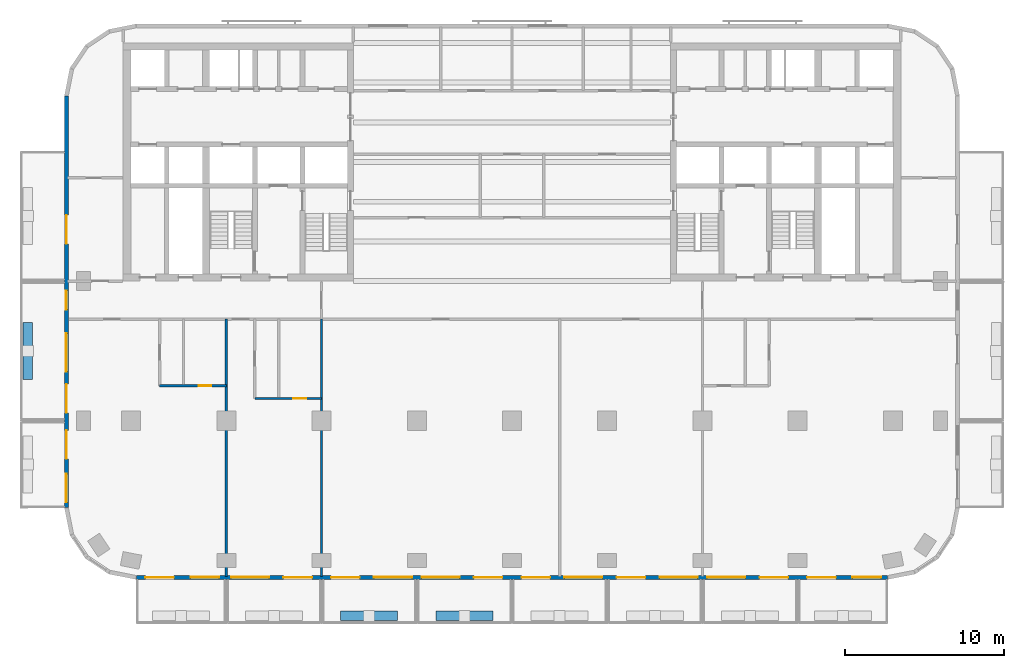
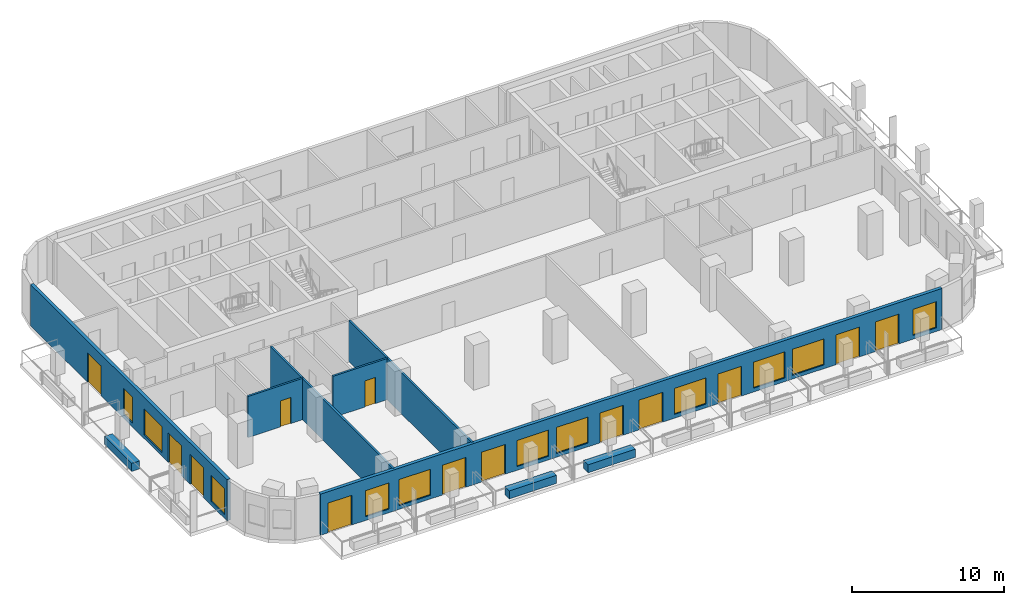
# One storey, part 2 of 11: 13 doors, 11 windows, 9 walls, 24 openings.
"""IFC4 building model written with IfcOpenShell, lengths in metres."""

import ifcopenshell
import ifcopenshell.guid

model = None  # the IFC model being written
_history = None  # IfcOwnerHistory: only IFC2X3 demands one
_inside = {}  # id of a spatial element -> (the spatial element, [elements in it])
_under = {}  # id of a project, library or spatial element -> (it, [spatial elements below it])
_declared = {}  # id of a project -> (the project, [libraries it declares])
_typed = {}  # id of a type object -> (the type object, [elements of that type])
_made_of = {}  # id of a material, layer set ... -> (it, [elements and type objects made of it])


def new_model(schema):
    """Start an empty IFC model of exactly this schema.

    Asked for "IFC4X3", IfcOpenShell would pick the latest addendum, in which some entities
    have other attributes; the version numbers below select the first issue.
    IFC2X3 requires an IfcOwnerHistory on every rooted entity: one is made here for all.
    """
    global model, _history
    if schema == "IFC4X3":
        model = ifcopenshell.file(schema_version=(4, 3, 0, 0))
    else:
        model = ifcopenshell.file(schema=schema)
    _inside.clear()
    _under.clear()
    _declared.clear()
    _typed.clear()
    _made_of.clear()
    _history = None
    if model.schema == "IFC2X3":
        org = make("IfcOrganization", Name="unknown")
        user = make(
            "IfcPersonAndOrganization",
            ThePerson=make("IfcPerson", FamilyName="unknown"),
            TheOrganization=org,
        )
        app = make(
            "IfcApplication",
            ApplicationDeveloper=org,
            Version="unknown",
            ApplicationFullName="unknown",
            ApplicationIdentifier="unknown",
        )
        _history = make(
            "IfcOwnerHistory",
            OwningUser=user,
            OwningApplication=app,
            ChangeAction="ADDED",
            CreationDate=0,
        )
    return model


def make(cls, **values):
    """One entity of the class cls with the attributes given. An attribute that is None is left unset."""
    return model.create_entity(
        cls, **{name: value for name, value in values.items() if value is not None}
    )


def rooted(cls, **values):
    """An entity with a GlobalId (a new one), such as an element, a storey or a relation."""
    return make(cls, GlobalId=ifcopenshell.guid.new(), OwnerHistory=_history, **values)


def si_unit(unit_type, name, prefix=None):
    """IfcSIUnit, for example si_unit("LENGTHUNIT", "METRE", prefix="MILLI")."""
    return make("IfcSIUnit", UnitType=unit_type, Prefix=prefix, Name=name)


def assignment(units):
    """IfcUnitAssignment: the units of a project."""
    return None if units is None else make("IfcUnitAssignment", Units=units)


def point(xyz):
    """IfcCartesianPoint."""
    return None if xyz is None else make("IfcCartesianPoint", Coordinates=xyz)


def direction(xyz):
    """IfcDirection."""
    return None if xyz is None else make("IfcDirection", DirectionRatios=xyz)


def frame(location, z_axis=None, x_axis=None):
    """IfcAxis2Placement3D, a coordinate frame: its origin and axes. An axis left out is left unset."""
    return make(
        "IfcAxis2Placement3D",
        Location=point(location),
        Axis=direction(z_axis),
        RefDirection=direction(x_axis),
    )


def frame_2d(location, x_axis=None):
    """IfcAxis2Placement2D, a coordinate frame in the plane: its origin and x axis."""
    return make(
        "IfcAxis2Placement2D", Location=point(location), RefDirection=direction(x_axis)
    )


def origin():
    """The frame at (0, 0, 0) with its axes left unset."""
    return frame((0.0, 0.0, 0.0))


def place(relative_to, where):
    """IfcLocalPlacement: puts the frame where relative to a parent placement (None: the world)."""
    return make(
        "IfcLocalPlacement", PlacementRelTo=relative_to, RelativePlacement=where
    )


def context(
    kind, dimensions, precision=None, world=None, true_north=None, identifier=None
):
    """IfcGeometricRepresentationContext, for example the 3D "Model" context."""
    return make(
        "IfcGeometricRepresentationContext",
        ContextIdentifier=identifier,
        ContextType=kind,
        CoordinateSpaceDimension=dimensions,
        Precision=precision,
        WorldCoordinateSystem=world,
        TrueNorth=true_north,
    )


def subcontext(parent, identifier, kind, view, scale=None):
    """IfcGeometricRepresentationSubContext, for example "Body" below "Model"."""
    return make(
        "IfcGeometricRepresentationSubContext",
        ContextIdentifier=identifier,
        ContextType=kind,
        ParentContext=parent,
        TargetScale=scale,
        TargetView=view,
    )


def project(units=None, contexts=None):
    """IfcProject with its units and contexts."""
    return rooted(
        "IfcProject",
        Name="project",
        RepresentationContexts=contexts,
        UnitsInContext=assignment(units),
    )


def spatial(cls, under=None, at=None, **own):
    """A site, building, storey or space (cls), placed at a placement, below another one or the project."""
    s = rooted(cls, ObjectPlacement=at, **own)
    if under is not None:
        _under.setdefault(under.id(), (under, []))[1].append(s)
    return s


def profile(cls, at=None, kind="AREA", **sizes):
    """A parametric profile (cls). Its sizes go by their IFC names, for example OverallWidth=200.0."""
    return make(cls, ProfileType=kind, Position=at, **sizes)


def rectangle(**sizes):
    """IfcRectangleProfileDef."""
    return profile("IfcRectangleProfileDef", **sizes)


def extrude(swept, where, along, depth):
    """IfcExtrudedAreaSolid: the profile swept, set in the frame where, extruded along a direction by depth."""
    return make(
        "IfcExtrudedAreaSolid",
        SweptArea=swept,
        Position=where,
        ExtrudedDirection=direction(along),
        Depth=depth,
    )


def shape(context_of_items, identifier, shape_type, items):
    """IfcShapeRepresentation: the items that make up one representation, for example the "Body"."""
    return make(
        "IfcShapeRepresentation",
        ContextOfItems=context_of_items,
        RepresentationIdentifier=identifier,
        RepresentationType=shape_type,
        Items=items,
    )


def material(Name=None, Category=None):
    """IfcMaterial."""
    return make("IfcMaterial", Name=Name, Category=Category)


def layer(
    of_material, thickness, ventilated=None, Name=None, Category=None, Priority=None
):
    """IfcMaterialLayer: one layer of a wall or slab, of a material (None: an air gap)."""
    return make(
        "IfcMaterialLayer",
        Material=of_material,
        LayerThickness=thickness,
        IsVentilated=ventilated,
        Name=Name,
        Category=Category,
        Priority=Priority,
    )


def layer_set(layers, Name=None):
    """IfcMaterialLayerSet."""
    return make("IfcMaterialLayerSet", MaterialLayers=layers, LayerSetName=Name)


def made_of(thing, what):
    """Note that an element or type object is made of a material, layer set ...; save() writes the relation."""
    if what is not None:
        _made_of.setdefault(what.id(), (what, []))[1].append(thing)
    return thing


def type_object(cls, material=None, **own):
    """A type object (cls), such as IfcWallType, which elements share."""
    return made_of(rooted(cls, **own), material)


def element(
    cls,
    number,
    at=None,
    inside=None,
    cuts=None,
    type_object=None,
    material=None,
    context=None,
    identifier="Body",
    shape_type=None,
    held_by="IfcProductDefinitionShape",
    body=None,
    shapes=None,
    **own,
):
    """One element of the class cls, such as IfcWall. Its Tag is "e" and its number.

    at: its placement. inside: the storey or other place that contains it. cuts: it is an
    opening in that element (IfcRelVoidsElement). A single representation is given by context,
    identifier, shape_type and body (its items); several are given by shapes. held_by: the class
    of the entity that holds the representations. save() writes the other relations.
    """
    e = rooted(cls, Tag="e%d" % number, ObjectPlacement=at, **own)
    if body is not None:
        shapes = [shape(context, identifier, shape_type, body)]
    if shapes is not None:
        e.Representation = make(held_by, Representations=shapes)
    if inside is not None:
        _inside.setdefault(inside.id(), (inside, []))[1].append(e)
    if cuts is not None:
        rooted(
            "IfcRelVoidsElement", RelatingBuildingElement=cuts, RelatedOpeningElement=e
        )
    if type_object is not None:
        _typed.setdefault(type_object.id(), (type_object, []))[1].append(e)
    return made_of(e, material)


def fill(opening, filler):
    """IfcRelFillsElement: the door or window that sits in an opening."""
    return rooted(
        "IfcRelFillsElement",
        RelatingOpeningElement=opening,
        RelatedBuildingElement=filler,
    )


def aggregate(whole, parts):
    """IfcRelAggregates: a whole, such as a stair, and the parts it consists of."""
    return rooted("IfcRelAggregates", RelatingObject=whole, RelatedObjects=parts)


def save(model, path):
    """Write the relations noted so far, then the file.

    IfcRelAggregates (storeys below a building ...), IfcRelContainedInSpatialStructure (elements
    in a storey), IfcRelDefinesByType, IfcRelAssociatesMaterial and IfcRelDeclares: one each for
    every whole, place, type object, material and project.
    """
    for whole, parts in _under.values():
        aggregate(whole, parts)
    for where, things in _inside.values():
        rooted(
            "IfcRelContainedInSpatialStructure",
            RelatedElements=things,
            RelatingStructure=where,
        )
    for kind, things in _typed.values():
        rooted("IfcRelDefinesByType", RelatedObjects=things, RelatingType=kind)
    for what, things in _made_of.values():
        rooted("IfcRelAssociatesMaterial", RelatedObjects=things, RelatingMaterial=what)
    for by, libraries in _declared.values():
        rooted("IfcRelDeclares", RelatingContext=by, RelatedDefinitions=libraries)
    model.write(path)


model = new_model("IFC4")

# Units and contexts
model_context = context("Model", 3, precision=1e-05, world=origin(), true_north=direction((0.0, 1.0)))
body_context = subcontext(model_context, "Body", "Model", "MODEL_VIEW")
ifc_project = project(units=[si_unit("LENGTHUNIT", "METRE"), si_unit("AREAUNIT", "SQUARE_METRE"), si_unit("VOLUMEUNIT", "CUBIC_METRE"), si_unit("PLANEANGLEUNIT", "RADIAN"), si_unit("MASSUNIT", "GRAM", prefix="KILO")], contexts=[model_context])

# Site, building, storey
site_placement = place(None, origin())
site = spatial("IfcSite", under=ifc_project, at=site_placement, CompositionType="ELEMENT")
building_placement = place(site_placement, origin())
building = spatial("IfcBuilding", under=site, at=building_placement, Name="Torana Hotel and Residences", CompositionType="ELEMENT")
storey_placement = place(building_placement, frame((0.0, 0.0, 166.800048828125)))
storey = spatial("IfcBuildingStorey", under=building, at=storey_placement, Name="L43", CompositionType="ELEMENT", Elevation=166.800048828125)

# Wall, openings, doors, windows
ifc_material_1 = material(Name="Black aluminium composite panel", Category="aluminium")
ifc_layer_1 = layer(ifc_material_1, 0.00390625, Name="Cladding", Category="cladding")
ifc_material_2 = material(Name="Ventilated air cavity")
ifc_layer_2 = layer(ifc_material_2, 0.0400390625, Name="Ventilated cavity", Category="cavity")
ifc_material_3 = material(Name="Mineral wool insulation")
ifc_layer_3 = layer(ifc_material_3, 0.090087890625, Name="Insulation", Category="insulation")
ifc_material_4 = material(Name="Steel S280GD", Category="steel")
ifc_layer_4 = layer(ifc_material_4, 0.092041015625, Name="Steel stud frame", Category="structure")
ifc_material_5 = material(Name="Fire rated plasterboard")
ifc_layer_5 = layer(ifc_material_5, 0.011962890625, Name="Inner board", Category="finish")
ifc_layer_6 = layer(ifc_material_5, 0.011962890625, Name="Second board", Category="finish")
ifc_layer_set_1 = layer_set([ifc_layer_1, ifc_layer_2, ifc_layer_3, ifc_layer_4, ifc_layer_5, ifc_layer_6], Name="EW1 EXTERNAL WALL BLACK METAL CLAD 250")
wall_type_1 = type_object("IfcWallType", Name="EW1 EXTERNAL WALL BLACK METAL CLAD 250", PredefinedType="SOLIDWALL", material=ifc_layer_set_1)
wall_1_placement = place(storey_placement, frame((-28.074951171875, -3.32470703125, 0.0), z_axis=(0.0, 0.0, 1.0), x_axis=(0.0, -1.0, 0.0)))
wall_1 = element("IfcWall", 1, at=wall_1_placement, inside=storey, type_object=wall_type_1, Name="External wall L43 e0.9", PredefinedType="SOLIDWALL", context=body_context, shape_type="SweptSolid", body=[
    extrude(rectangle(XDim=25.95068359375, YDim=0.25, at=frame_2d((12.975341796875, 0.0))), origin(), (0.0, 0.0, 1.0), 3.320068359375),
])
opening_1_placement = place(wall_1_placement, frame((7.525390625, 0.0, 0.0)))
opening_1 = element("IfcOpeningElement", 2, at=opening_1_placement, cuts=wall_1, Name="Opening L43-E12", PredefinedType="OPENING", context=body_context, shape_type="SweptSolid", body=[
    extrude(rectangle(XDim=1.800048828125, YDim=2.39990234375, at=frame_2d((0.89990234375, 1.199951171875))), frame((0.0, 0.135009765625, 0.0), z_axis=(0.0, -1.0, 0.0), x_axis=(1.0, 0.0, 0.0)), (0.0, 0.0, 1.0), 0.27001953125),
])
opening_2_placement = place(wall_1_placement, frame((12.275390625, 0.0, 0.300048828125)))
opening_2 = element("IfcOpeningElement", 3, at=opening_2_placement, cuts=wall_1, Name="Opening W7", PredefinedType="OPENING", context=body_context, shape_type="SweptSolid", body=[
    extrude(rectangle(XDim=1.199951171875, YDim=2.10009765625, at=frame_2d((0.60009765625, 1.050048828125))), frame((0.0, 0.135009765625, 0.0), z_axis=(0.0, -1.0, 0.0), x_axis=(1.0, 0.0, 0.0)), (0.0, 0.0, 1.0), 0.27001953125),
])
opening_3_placement = place(wall_1_placement, frame((14.975341796875, 0.0, 0.300048828125)))
opening_3 = element("IfcOpeningElement", 4, at=opening_3_placement, cuts=wall_1, Name="Opening W1", PredefinedType="OPENING", context=body_context, shape_type="SweptSolid", body=[
    extrude(rectangle(XDim=2.39990234375, YDim=2.10009765625, at=frame_2d((1.199951171875, 1.050048828125))), frame((0.0, 0.135009765625, 0.0), z_axis=(0.0, -1.0, 0.0), x_axis=(1.0, 0.0, 0.0)), (0.0, 0.0, 1.0), 0.27001953125),
])
opening_4_placement = place(wall_1_placement, frame((18.17529296875, 0.0, 0.0)))
opening_4 = element("IfcOpeningElement", 5, at=opening_4_placement, cuts=wall_1, Name="Opening L43-E13", PredefinedType="OPENING", context=body_context, shape_type="SweptSolid", body=[
    extrude(rectangle(XDim=1.800048828125, YDim=2.39990234375, at=frame_2d((0.89990234375, 1.199951171875))), frame((0.0, 0.135009765625, 0.0), z_axis=(0.0, -1.0, 0.0), x_axis=(1.0, 0.0, 0.0)), (0.0, 0.0, 1.0), 0.27001953125),
])
opening_5_placement = place(wall_1_placement, frame((21.075439453125, 0.0, 0.0)))
opening_5 = element("IfcOpeningElement", 6, at=opening_5_placement, cuts=wall_1, Name="Opening L43-E14", PredefinedType="OPENING", context=body_context, shape_type="SweptSolid", body=[
    extrude(rectangle(XDim=1.800048828125, YDim=2.39990234375, at=frame_2d((0.89990234375, 1.199951171875))), frame((0.0, 0.135009765625, 0.0), z_axis=(0.0, -1.0, 0.0), x_axis=(1.0, 0.0, 0.0)), (0.0, 0.0, 1.0), 0.27001953125),
])
opening_6_placement = place(wall_1_placement, frame((23.825439453125, 0.0, 0.300048828125)))
opening_6 = element("IfcOpeningElement", 7, at=opening_6_placement, cuts=wall_1, Name="Opening W2", PredefinedType="OPENING", context=body_context, shape_type="SweptSolid", body=[
    extrude(rectangle(XDim=1.800048828125, YDim=2.10009765625, at=frame_2d((0.89990234375, 1.050048828125))), frame((0.0, 0.135009765625, 0.0), z_axis=(0.0, -1.0, 0.0), x_axis=(1.0, 0.0, 0.0)), (0.0, 0.0, 1.0), 0.27001953125),
])
ifc_material_6 = material(Name="Dark glass in black aluminium frame", Category="aluminium")
door_type_1 = type_object("IfcDoorType", Name="DB1 BALCONY DOOR 1800x2400", OperationType="DOUBLE_DOOR_SINGLE_SWING", PredefinedType="DOOR", material=ifc_material_6)
door_1_placement = place(opening_1_placement, origin())
door_1 = element("IfcDoor", 8, at=door_1_placement, inside=storey, type_object=door_type_1, Name="Balcony door L43", OperationType="DOUBLE_DOOR_SINGLE_SWING", OverallHeight=2.39990234375, OverallWidth=1.800048828125, PredefinedType="DOOR", context=body_context, shape_type="SweptSolid", body=[
    extrude(rectangle(XDim=1.800048828125, YDim=2.39990234375, at=frame_2d((0.89990234375, 1.199951171875))), frame((0.0, 0.02490234375, 0.0), z_axis=(0.0, -1.0, 0.0), x_axis=(1.0, 0.0, 0.0)), (0.0, 0.0, 1.0), 0.050048828125),
])
fill(opening_1, door_1)
door_2_placement = place(opening_4_placement, frame((0.89990234375, 0.0, 0.0), z_axis=(0.0, 0.0, 1.0), x_axis=(-1.0, 0.0, 0.0)))
door_2 = element("IfcDoor", 9, at=door_2_placement, inside=storey, type_object=door_type_1, Name="Balcony door L43", OperationType="DOUBLE_DOOR_SINGLE_SWING", OverallHeight=2.39990234375, OverallWidth=1.800048828125, PredefinedType="DOOR", context=body_context, shape_type="SweptSolid", body=[
    extrude(rectangle(XDim=1.800048828125, YDim=2.39990234375, at=frame_2d((0.0, 1.199951171875))), frame((0.0, -0.02490234375, 0.0), z_axis=(0.0, 1.0, 0.0), x_axis=(-1.0, 0.0, 0.0)), (0.0, 0.0, 1.0), 0.050048828125),
])
fill(opening_4, door_2)
door_3_placement = place(opening_5_placement, origin())
door_3 = element("IfcDoor", 10, at=door_3_placement, inside=storey, type_object=door_type_1, Name="Balcony door L43", OperationType="DOUBLE_DOOR_SINGLE_SWING", OverallHeight=2.39990234375, OverallWidth=1.800048828125, PredefinedType="DOOR", context=body_context, shape_type="SweptSolid", body=[
    extrude(rectangle(XDim=1.800048828125, YDim=2.39990234375, at=frame_2d((0.89990234375, 1.199951171875))), frame((0.0, 0.02490234375, 0.0), z_axis=(0.0, -1.0, 0.0), x_axis=(1.0, 0.0, 0.0)), (0.0, 0.0, 1.0), 0.050048828125),
])
fill(opening_5, door_3)
ifc_material_7 = material(Name="Dark glass in black aluminium frame", Category="aluminium")
window_type_1 = type_object("IfcWindowType", Name="W1 HOTEL ROOM WINDOW 2400x2100", PartitioningType="SINGLE_PANEL", PredefinedType="WINDOW", material=ifc_material_7)
window_1_placement = place(opening_3_placement, origin())
window_1 = element("IfcWindow", 11, at=window_1_placement, inside=storey, type_object=window_type_1, Name="Window L43", OverallHeight=2.10009765625, OverallWidth=2.39990234375, PartitioningType="SINGLE_PANEL", PredefinedType="WINDOW", context=body_context, shape_type="SweptSolid", body=[
    extrude(rectangle(XDim=2.39990234375, YDim=2.10009765625, at=frame_2d((1.199951171875, 1.050048828125))), frame((0.0, 0.030029296875, 0.0), z_axis=(0.0, -1.0, 0.0), x_axis=(1.0, 0.0, 0.0)), (0.0, 0.0, 1.0), 0.06005859375),
])
fill(opening_3, window_1)
ifc_material_8 = material(Name="Dark glass in black aluminium frame", Category="aluminium")
window_type_2 = type_object("IfcWindowType", Name="W2 HOTEL ROOM WINDOW NARROW 1800x2100", PartitioningType="SINGLE_PANEL", PredefinedType="WINDOW", material=ifc_material_8)
window_2_placement = place(opening_6_placement, origin())
window_2 = element("IfcWindow", 12, at=window_2_placement, inside=storey, type_object=window_type_2, Name="Window L43", OverallHeight=2.10009765625, OverallWidth=1.800048828125, PartitioningType="SINGLE_PANEL", PredefinedType="WINDOW", context=body_context, shape_type="SweptSolid", body=[
    extrude(rectangle(XDim=1.800048828125, YDim=2.10009765625, at=frame_2d((0.89990234375, 1.050048828125))), frame((0.0, 0.030029296875, 0.0), z_axis=(0.0, -1.0, 0.0), x_axis=(1.0, 0.0, 0.0)), (0.0, 0.0, 1.0), 0.06005859375),
])
fill(opening_6, window_2)
ifc_material_9 = material(Name="Dark glass in black aluminium frame", Category="aluminium")
window_type_3 = type_object("IfcWindowType", Name="W7 HOTEL CORRIDOR WINDOW 1200x2100", PartitioningType="SINGLE_PANEL", PredefinedType="WINDOW", material=ifc_material_9)
window_3_placement = place(opening_2_placement, origin())
window_3 = element("IfcWindow", 13, at=window_3_placement, inside=storey, type_object=window_type_3, Name="Window L43", OverallHeight=2.10009765625, OverallWidth=1.199951171875, PartitioningType="SINGLE_PANEL", PredefinedType="WINDOW", context=body_context, shape_type="SweptSolid", body=[
    extrude(rectangle(XDim=1.199951171875, YDim=2.10009765625, at=frame_2d((0.60009765625, 1.050048828125))), frame((0.0, 0.030029296875, 0.0), z_axis=(0.0, -1.0, 0.0), x_axis=(1.0, 0.0, 0.0)), (0.0, 0.0, 1.0), 0.06005859375),
])
fill(opening_2, window_3)

wall_2_placement = place(storey_placement, frame((-23.67529296875, -33.675048828125, 0.0), z_axis=(0.0, 0.0, 1.0), x_axis=(1.0, 0.0, 0.0)))
wall_2 = element("IfcWall", 14, at=wall_2_placement, inside=storey, type_object=wall_type_1, Name="External wall L43 e0.14", PredefinedType="SOLIDWALL", context=body_context, shape_type="SweptSolid", body=[
    extrude(rectangle(XDim=47.3505859375, YDim=0.25, at=frame_2d((23.67529296875, 0.0))), origin(), (0.0, 0.0, 1.0), 3.320068359375),
])
opening_7_placement = place(wall_2_placement, frame((0.575439453125, 0.0, 0.0)))
opening_7 = element("IfcOpeningElement", 15, at=opening_7_placement, cuts=wall_2, Name="Opening L43-E01", PredefinedType="OPENING", context=body_context, shape_type="SweptSolid", body=[
    extrude(rectangle(XDim=1.800048828125, YDim=2.39990234375, at=frame_2d((0.89990234375, 1.199951171875))), frame((0.0, 0.135009765625, 0.0), z_axis=(0.0, -1.0, 0.0), x_axis=(1.0, 0.0, 0.0)), (0.0, 0.0, 1.0), 0.27001953125),
])
opening_8_placement = place(wall_2_placement, frame((3.42529296875, 0.0, 0.300048828125)))
opening_8 = element("IfcOpeningElement", 16, at=opening_8_placement, cuts=wall_2, Name="Opening W2", PredefinedType="OPENING", context=body_context, shape_type="SweptSolid", body=[
    extrude(rectangle(XDim=1.800048828125, YDim=2.10009765625, at=frame_2d((0.89990234375, 1.050048828125))), frame((0.0, 0.135009765625, 0.0), z_axis=(0.0, -1.0, 0.0), x_axis=(1.0, 0.0, 0.0)), (0.0, 0.0, 1.0), 0.27001953125),
])
opening_9_placement = place(wall_2_placement, frame((5.975341796875, 0.0, 0.300048828125)))
opening_9 = element("IfcOpeningElement", 17, at=opening_9_placement, cuts=wall_2, Name="Opening W1", PredefinedType="OPENING", context=body_context, shape_type="SweptSolid", body=[
    extrude(rectangle(XDim=2.39990234375, YDim=2.10009765625, at=frame_2d((1.199951171875, 1.050048828125))), frame((0.0, 0.135009765625, 0.0), z_axis=(0.0, -1.0, 0.0), x_axis=(1.0, 0.0, 0.0)), (0.0, 0.0, 1.0), 0.27001953125),
])
opening_10_placement = place(wall_2_placement, frame((9.275390625, 0.0, 0.0)))
opening_10 = element("IfcOpeningElement", 18, at=opening_10_placement, cuts=wall_2, Name="Opening L43-E02", PredefinedType="OPENING", context=body_context, shape_type="SweptSolid", body=[
    extrude(rectangle(XDim=1.800048828125, YDim=2.39990234375, at=frame_2d((0.89990234375, 1.199951171875))), frame((0.0, 0.135009765625, 0.0), z_axis=(0.0, -1.0, 0.0), x_axis=(1.0, 0.0, 0.0)), (0.0, 0.0, 1.0), 0.27001953125),
])
opening_11_placement = place(wall_2_placement, frame((12.275390625, 0.0, 0.0)))
opening_11 = element("IfcOpeningElement", 19, at=opening_11_placement, cuts=wall_2, Name="Opening L43-E03", PredefinedType="OPENING", context=body_context, shape_type="SweptSolid", body=[
    extrude(rectangle(XDim=1.800048828125, YDim=2.39990234375, at=frame_2d((0.89990234375, 1.199951171875))), frame((0.0, 0.135009765625, 0.0), z_axis=(0.0, -1.0, 0.0), x_axis=(1.0, 0.0, 0.0)), (0.0, 0.0, 1.0), 0.27001953125),
])
opening_12_placement = place(wall_2_placement, frame((14.975341796875, 0.0, 0.300048828125)))
opening_12 = element("IfcOpeningElement", 20, at=opening_12_placement, cuts=wall_2, Name="Opening W1", PredefinedType="OPENING", context=body_context, shape_type="SweptSolid", body=[
    extrude(rectangle(XDim=2.39990234375, YDim=2.10009765625, at=frame_2d((1.199951171875, 1.050048828125))), frame((0.0, 0.135009765625, 0.0), z_axis=(0.0, -1.0, 0.0), x_axis=(1.0, 0.0, 0.0)), (0.0, 0.0, 1.0), 0.27001953125),
])
opening_13_placement = place(wall_2_placement, frame((17.975341796875, 0.0, 0.300048828125)))
opening_13 = element("IfcOpeningElement", 21, at=opening_13_placement, cuts=wall_2, Name="Opening W1", PredefinedType="OPENING", context=body_context, shape_type="SweptSolid", body=[
    extrude(rectangle(XDim=2.39990234375, YDim=2.10009765625, at=frame_2d((1.199951171875, 1.050048828125))), frame((0.0, 0.135009765625, 0.0), z_axis=(0.0, -1.0, 0.0), x_axis=(1.0, 0.0, 0.0)), (0.0, 0.0, 1.0), 0.27001953125),
])
opening_14_placement = place(wall_2_placement, frame((21.275390625, 0.0, 0.0)))
opening_14 = element("IfcOpeningElement", 22, at=opening_14_placement, cuts=wall_2, Name="Opening L43-E04", PredefinedType="OPENING", context=body_context, shape_type="SweptSolid", body=[
    extrude(rectangle(XDim=1.800048828125, YDim=2.39990234375, at=frame_2d((0.89990234375, 1.199951171875))), frame((0.0, 0.135009765625, 0.0), z_axis=(0.0, -1.0, 0.0), x_axis=(1.0, 0.0, 0.0)), (0.0, 0.0, 1.0), 0.27001953125),
])
opening_15_placement = place(wall_2_placement, frame((24.275390625, 0.0, 0.0)))
opening_15 = element("IfcOpeningElement", 23, at=opening_15_placement, cuts=wall_2, Name="Opening L43-E05", PredefinedType="OPENING", context=body_context, shape_type="SweptSolid", body=[
    extrude(rectangle(XDim=1.800048828125, YDim=2.39990234375, at=frame_2d((0.89990234375, 1.199951171875))), frame((0.0, 0.135009765625, 0.0), z_axis=(0.0, -1.0, 0.0), x_axis=(1.0, 0.0, 0.0)), (0.0, 0.0, 1.0), 0.27001953125),
])
opening_16_placement = place(wall_2_placement, frame((26.975341796875, 0.0, 0.300048828125)))
opening_16 = element("IfcOpeningElement", 24, at=opening_16_placement, cuts=wall_2, Name="Opening W1", PredefinedType="OPENING", context=body_context, shape_type="SweptSolid", body=[
    extrude(rectangle(XDim=2.39990234375, YDim=2.10009765625, at=frame_2d((1.199951171875, 1.050048828125))), frame((0.0, 0.135009765625, 0.0), z_axis=(0.0, -1.0, 0.0), x_axis=(1.0, 0.0, 0.0)), (0.0, 0.0, 1.0), 0.27001953125),
])
opening_17_placement = place(wall_2_placement, frame((30.275390625, 0.0, 0.0)))
opening_17 = element("IfcOpeningElement", 25, at=opening_17_placement, cuts=wall_2, Name="Opening L43-E06", PredefinedType="OPENING", context=body_context, shape_type="SweptSolid", body=[
    extrude(rectangle(XDim=1.800048828125, YDim=2.39990234375, at=frame_2d((0.89990234375, 1.199951171875))), frame((0.0, 0.135009765625, 0.0), z_axis=(0.0, -1.0, 0.0), x_axis=(1.0, 0.0, 0.0)), (0.0, 0.0, 1.0), 0.27001953125),
])
opening_18_placement = place(wall_2_placement, frame((32.975341796875, 0.0, 0.300048828125)))
opening_18 = element("IfcOpeningElement", 26, at=opening_18_placement, cuts=wall_2, Name="Opening W1", PredefinedType="OPENING", context=body_context, shape_type="SweptSolid", body=[
    extrude(rectangle(XDim=2.39990234375, YDim=2.10009765625, at=frame_2d((1.199951171875, 1.050048828125))), frame((0.0, 0.135009765625, 0.0), z_axis=(0.0, -1.0, 0.0), x_axis=(1.0, 0.0, 0.0)), (0.0, 0.0, 1.0), 0.27001953125),
])
opening_19_placement = place(wall_2_placement, frame((35.975341796875, 0.0, 0.300048828125)))
opening_19 = element("IfcOpeningElement", 27, at=opening_19_placement, cuts=wall_2, Name="Opening W1", PredefinedType="OPENING", context=body_context, shape_type="SweptSolid", body=[
    extrude(rectangle(XDim=2.39990234375, YDim=2.10009765625, at=frame_2d((1.199951171875, 1.050048828125))), frame((0.0, 0.135009765625, 0.0), z_axis=(0.0, -1.0, 0.0), x_axis=(1.0, 0.0, 0.0)), (0.0, 0.0, 1.0), 0.27001953125),
])
opening_20_placement = place(wall_2_placement, frame((39.275390625, 0.0, 0.0)))
opening_20 = element("IfcOpeningElement", 28, at=opening_20_placement, cuts=wall_2, Name="Opening L43-E07", PredefinedType="OPENING", context=body_context, shape_type="SweptSolid", body=[
    extrude(rectangle(XDim=1.800048828125, YDim=2.39990234375, at=frame_2d((0.89990234375, 1.199951171875))), frame((0.0, 0.135009765625, 0.0), z_axis=(0.0, -1.0, 0.0), x_axis=(1.0, 0.0, 0.0)), (0.0, 0.0, 1.0), 0.27001953125),
])
opening_21_placement = place(wall_2_placement, frame((42.275390625, 0.0, 0.0)))
opening_21 = element("IfcOpeningElement", 29, at=opening_21_placement, cuts=wall_2, Name="Opening L43-E08", PredefinedType="OPENING", context=body_context, shape_type="SweptSolid", body=[
    extrude(rectangle(XDim=1.800048828125, YDim=2.39990234375, at=frame_2d((0.89990234375, 1.199951171875))), frame((0.0, 0.135009765625, 0.0), z_axis=(0.0, -1.0, 0.0), x_axis=(1.0, 0.0, 0.0)), (0.0, 0.0, 1.0), 0.27001953125),
])
opening_22_placement = place(wall_2_placement, frame((45.12548828125, 0.0, 0.300048828125)))
opening_22 = element("IfcOpeningElement", 30, at=opening_22_placement, cuts=wall_2, Name="Opening W2", PredefinedType="OPENING", context=body_context, shape_type="SweptSolid", body=[
    extrude(rectangle(XDim=1.800048828125, YDim=2.10009765625, at=frame_2d((0.89990234375, 1.050048828125))), frame((0.0, 0.135009765625, 0.0), z_axis=(0.0, -1.0, 0.0), x_axis=(1.0, 0.0, 0.0)), (0.0, 0.0, 1.0), 0.27001953125),
])
door_4_placement = place(opening_7_placement, origin())
door_4 = element("IfcDoor", 31, at=door_4_placement, inside=storey, type_object=door_type_1, Name="Balcony door L43", OperationType="DOUBLE_DOOR_SINGLE_SWING", OverallHeight=2.39990234375, OverallWidth=1.800048828125, PredefinedType="DOOR", context=body_context, shape_type="SweptSolid", body=[
    extrude(rectangle(XDim=1.800048828125, YDim=2.39990234375, at=frame_2d((0.89990234375, 1.199951171875))), frame((0.0, 0.02490234375, 0.0), z_axis=(0.0, -1.0, 0.0), x_axis=(1.0, 0.0, 0.0)), (0.0, 0.0, 1.0), 0.050048828125),
])
fill(opening_7, door_4)
door_5_placement = place(opening_10_placement, origin())
door_5 = element("IfcDoor", 32, at=door_5_placement, inside=storey, type_object=door_type_1, Name="Balcony door L43", OperationType="DOUBLE_DOOR_SINGLE_SWING", OverallHeight=2.39990234375, OverallWidth=1.800048828125, PredefinedType="DOOR", context=body_context, shape_type="SweptSolid", body=[
    extrude(rectangle(XDim=1.800048828125, YDim=2.39990234375, at=frame_2d((0.89990234375, 1.199951171875))), frame((0.0, 0.02490234375, 0.0), z_axis=(0.0, -1.0, 0.0), x_axis=(1.0, 0.0, 0.0)), (0.0, 0.0, 1.0), 0.050048828125),
])
fill(opening_10, door_5)
door_6_placement = place(opening_11_placement, origin())
door_6 = element("IfcDoor", 33, at=door_6_placement, inside=storey, type_object=door_type_1, Name="Balcony door L43", OperationType="DOUBLE_DOOR_SINGLE_SWING", OverallHeight=2.39990234375, OverallWidth=1.800048828125, PredefinedType="DOOR", context=body_context, shape_type="SweptSolid", body=[
    extrude(rectangle(XDim=1.800048828125, YDim=2.39990234375, at=frame_2d((0.89990234375, 1.199951171875))), frame((0.0, 0.02490234375, 0.0), z_axis=(0.0, -1.0, 0.0), x_axis=(1.0, 0.0, 0.0)), (0.0, 0.0, 1.0), 0.050048828125),
])
fill(opening_11, door_6)
door_7_placement = place(opening_14_placement, origin())
door_7 = element("IfcDoor", 34, at=door_7_placement, inside=storey, type_object=door_type_1, Name="Balcony door L43", OperationType="DOUBLE_DOOR_SINGLE_SWING", OverallHeight=2.39990234375, OverallWidth=1.800048828125, PredefinedType="DOOR", context=body_context, shape_type="SweptSolid", body=[
    extrude(rectangle(XDim=1.800048828125, YDim=2.39990234375, at=frame_2d((0.89990234375, 1.199951171875))), frame((0.0, 0.02490234375, 0.0), z_axis=(0.0, -1.0, 0.0), x_axis=(1.0, 0.0, 0.0)), (0.0, 0.0, 1.0), 0.050048828125),
])
fill(opening_14, door_7)
door_8_placement = place(opening_15_placement, origin())
door_8 = element("IfcDoor", 35, at=door_8_placement, inside=storey, type_object=door_type_1, Name="Balcony door L43", OperationType="DOUBLE_DOOR_SINGLE_SWING", OverallHeight=2.39990234375, OverallWidth=1.800048828125, PredefinedType="DOOR", context=body_context, shape_type="SweptSolid", body=[
    extrude(rectangle(XDim=1.800048828125, YDim=2.39990234375, at=frame_2d((0.89990234375, 1.199951171875))), frame((0.0, 0.02490234375, 0.0), z_axis=(0.0, -1.0, 0.0), x_axis=(1.0, 0.0, 0.0)), (0.0, 0.0, 1.0), 0.050048828125),
])
fill(opening_15, door_8)
door_9_placement = place(opening_17_placement, origin())
door_9 = element("IfcDoor", 36, at=door_9_placement, inside=storey, type_object=door_type_1, Name="Balcony door L43", OperationType="DOUBLE_DOOR_SINGLE_SWING", OverallHeight=2.39990234375, OverallWidth=1.800048828125, PredefinedType="DOOR", context=body_context, shape_type="SweptSolid", body=[
    extrude(rectangle(XDim=1.800048828125, YDim=2.39990234375, at=frame_2d((0.89990234375, 1.199951171875))), frame((0.0, 0.02490234375, 0.0), z_axis=(0.0, -1.0, 0.0), x_axis=(1.0, 0.0, 0.0)), (0.0, 0.0, 1.0), 0.050048828125),
])
fill(opening_17, door_9)
door_10_placement = place(opening_20_placement, origin())
door_10 = element("IfcDoor", 37, at=door_10_placement, inside=storey, type_object=door_type_1, Name="Balcony door L43", OperationType="DOUBLE_DOOR_SINGLE_SWING", OverallHeight=2.39990234375, OverallWidth=1.800048828125, PredefinedType="DOOR", context=body_context, shape_type="SweptSolid", body=[
    extrude(rectangle(XDim=1.800048828125, YDim=2.39990234375, at=frame_2d((0.89990234375, 1.199951171875))), frame((0.0, 0.02490234375, 0.0), z_axis=(0.0, -1.0, 0.0), x_axis=(1.0, 0.0, 0.0)), (0.0, 0.0, 1.0), 0.050048828125),
])
fill(opening_20, door_10)
door_11_placement = place(opening_21_placement, origin())
door_11 = element("IfcDoor", 38, at=door_11_placement, inside=storey, type_object=door_type_1, Name="Balcony door L43", OperationType="DOUBLE_DOOR_SINGLE_SWING", OverallHeight=2.39990234375, OverallWidth=1.800048828125, PredefinedType="DOOR", context=body_context, shape_type="SweptSolid", body=[
    extrude(rectangle(XDim=1.800048828125, YDim=2.39990234375, at=frame_2d((0.89990234375, 1.199951171875))), frame((0.0, 0.02490234375, 0.0), z_axis=(0.0, -1.0, 0.0), x_axis=(1.0, 0.0, 0.0)), (0.0, 0.0, 1.0), 0.050048828125),
])
fill(opening_21, door_11)
window_4_placement = place(opening_9_placement, origin())
window_4 = element("IfcWindow", 39, at=window_4_placement, inside=storey, type_object=window_type_1, Name="Window L43", OverallHeight=2.10009765625, OverallWidth=2.39990234375, PartitioningType="SINGLE_PANEL", PredefinedType="WINDOW", context=body_context, shape_type="SweptSolid", body=[
    extrude(rectangle(XDim=2.39990234375, YDim=2.10009765625, at=frame_2d((1.199951171875, 1.050048828125))), frame((0.0, 0.030029296875, 0.0), z_axis=(0.0, -1.0, 0.0), x_axis=(1.0, 0.0, 0.0)), (0.0, 0.0, 1.0), 0.06005859375),
])
fill(opening_9, window_4)
window_5_placement = place(opening_12_placement, origin())
window_5 = element("IfcWindow", 40, at=window_5_placement, inside=storey, type_object=window_type_1, Name="Window L43", OverallHeight=2.10009765625, OverallWidth=2.39990234375, PartitioningType="SINGLE_PANEL", PredefinedType="WINDOW", context=body_context, shape_type="SweptSolid", body=[
    extrude(rectangle(XDim=2.39990234375, YDim=2.10009765625, at=frame_2d((1.199951171875, 1.050048828125))), frame((0.0, 0.030029296875, 0.0), z_axis=(0.0, -1.0, 0.0), x_axis=(1.0, 0.0, 0.0)), (0.0, 0.0, 1.0), 0.06005859375),
])
fill(opening_12, window_5)
window_6_placement = place(opening_13_placement, origin())
window_6 = element("IfcWindow", 41, at=window_6_placement, inside=storey, type_object=window_type_1, Name="Window L43", OverallHeight=2.10009765625, OverallWidth=2.39990234375, PartitioningType="SINGLE_PANEL", PredefinedType="WINDOW", context=body_context, shape_type="SweptSolid", body=[
    extrude(rectangle(XDim=2.39990234375, YDim=2.10009765625, at=frame_2d((1.199951171875, 1.050048828125))), frame((0.0, 0.030029296875, 0.0), z_axis=(0.0, -1.0, 0.0), x_axis=(1.0, 0.0, 0.0)), (0.0, 0.0, 1.0), 0.06005859375),
])
fill(opening_13, window_6)
window_7_placement = place(opening_16_placement, origin())
window_7 = element("IfcWindow", 42, at=window_7_placement, inside=storey, type_object=window_type_1, Name="Window L43", OverallHeight=2.10009765625, OverallWidth=2.39990234375, PartitioningType="SINGLE_PANEL", PredefinedType="WINDOW", context=body_context, shape_type="SweptSolid", body=[
    extrude(rectangle(XDim=2.39990234375, YDim=2.10009765625, at=frame_2d((1.199951171875, 1.050048828125))), frame((0.0, 0.030029296875, 0.0), z_axis=(0.0, -1.0, 0.0), x_axis=(1.0, 0.0, 0.0)), (0.0, 0.0, 1.0), 0.06005859375),
])
fill(opening_16, window_7)
window_8_placement = place(opening_18_placement, origin())
window_8 = element("IfcWindow", 43, at=window_8_placement, inside=storey, type_object=window_type_1, Name="Window L43", OverallHeight=2.10009765625, OverallWidth=2.39990234375, PartitioningType="SINGLE_PANEL", PredefinedType="WINDOW", context=body_context, shape_type="SweptSolid", body=[
    extrude(rectangle(XDim=2.39990234375, YDim=2.10009765625, at=frame_2d((1.199951171875, 1.050048828125))), frame((0.0, 0.030029296875, 0.0), z_axis=(0.0, -1.0, 0.0), x_axis=(1.0, 0.0, 0.0)), (0.0, 0.0, 1.0), 0.06005859375),
])
fill(opening_18, window_8)
window_9_placement = place(opening_19_placement, origin())
window_9 = element("IfcWindow", 44, at=window_9_placement, inside=storey, type_object=window_type_1, Name="Window L43", OverallHeight=2.10009765625, OverallWidth=2.39990234375, PartitioningType="SINGLE_PANEL", PredefinedType="WINDOW", context=body_context, shape_type="SweptSolid", body=[
    extrude(rectangle(XDim=2.39990234375, YDim=2.10009765625, at=frame_2d((1.199951171875, 1.050048828125))), frame((0.0, 0.030029296875, 0.0), z_axis=(0.0, -1.0, 0.0), x_axis=(1.0, 0.0, 0.0)), (0.0, 0.0, 1.0), 0.06005859375),
])
fill(opening_19, window_9)
window_10_placement = place(opening_8_placement, origin())
window_10 = element("IfcWindow", 45, at=window_10_placement, inside=storey, type_object=window_type_2, Name="Window L43", OverallHeight=2.10009765625, OverallWidth=1.800048828125, PartitioningType="SINGLE_PANEL", PredefinedType="WINDOW", context=body_context, shape_type="SweptSolid", body=[
    extrude(rectangle(XDim=1.800048828125, YDim=2.10009765625, at=frame_2d((0.89990234375, 1.050048828125))), frame((0.0, 0.030029296875, 0.0), z_axis=(0.0, -1.0, 0.0), x_axis=(1.0, 0.0, 0.0)), (0.0, 0.0, 1.0), 0.06005859375),
])
fill(opening_8, window_10)
window_11_placement = place(opening_22_placement, origin())
window_11 = element("IfcWindow", 46, at=window_11_placement, inside=storey, type_object=window_type_2, Name="Window L43", OverallHeight=2.10009765625, OverallWidth=1.800048828125, PartitioningType="SINGLE_PANEL", PredefinedType="WINDOW", context=body_context, shape_type="SweptSolid", body=[
    extrude(rectangle(XDim=1.800048828125, YDim=2.10009765625, at=frame_2d((0.89990234375, 1.050048828125))), frame((0.0, 0.030029296875, 0.0), z_axis=(0.0, -1.0, 0.0), x_axis=(1.0, 0.0, 0.0)), (0.0, 0.0, 1.0), 0.06005859375),
])
fill(opening_22, window_11)

# Walls
ifc_material_10 = material(Name="Gypsum plasterboard")
ifc_layer_7 = layer(ifc_material_10, 0.012451171875, Name="Plasterboard", Category="finish")
ifc_layer_8 = layer(ifc_material_10, 0.012451171875, Name="Plasterboard", Category="finish")
ifc_layer_9 = layer(ifc_material_4, 0.10009765625, Name="Steel studs with mineral wool", Category="insulation")
ifc_layer_10 = layer(ifc_material_10, 0.012451171875, Name="Plasterboard", Category="finish")
ifc_layer_11 = layer(ifc_material_10, 0.012451171875, Name="Plasterboard", Category="finish")
ifc_layer_set_2 = layer_set([ifc_layer_7, ifc_layer_8, ifc_layer_9, ifc_layer_10, ifc_layer_11], Name="PARTITION 150 PLASTERBOARD")
wall_type_2 = type_object("IfcWallType", Name="PARTITION 150 PLASTERBOARD", PredefinedType="PARTITIONING", material=ifc_layer_set_2)
for number, where, z_axis, x_axis, name in (
    (47, (-12.0, -33.6201171875, 0.0), (0.0, 0.0, 1.0), (0.0, 1.0, 0.0), "Partition L43"),
    (48, (-18.0, -33.6201171875, 0.0), (0.0, 0.0, 1.0), (0.0, 1.0, 0.0), "Partition L43"),
):
    element("IfcWall", number, at=place(storey_placement, frame(where, z_axis=z_axis, x_axis=x_axis)), inside=storey, type_object=wall_type_2, Name=name, PredefinedType="PARTITIONING", context=body_context, shape_type="SweptSolid", body=[
        extrude(rectangle(XDim=16.22021484375, YDim=0.14990234375, at=frame_2d((8.110107421875, 0.0))), origin(), (0.0, 0.0, 1.0), 3.320068359375),
    ])

# Wall, opening, door
wall_3_placement = place(storey_placement, frame((-16.199951171875, -22.39990234375, 0.0), z_axis=(0.0, 0.0, 1.0), x_axis=(1.0, 0.0, 0.0)))
wall_3 = element("IfcWall", 49, at=wall_3_placement, inside=storey, type_object=wall_type_2, Name="Partition L43", PredefinedType="PARTITIONING", context=body_context, shape_type="SweptSolid", body=[
    extrude(rectangle(XDim=4.199951171875, YDim=0.14990234375, at=frame_2d((2.10009765625, 0.0))), origin(), (0.0, 0.0, 1.0), 3.320068359375),
])
opening_23_placement = place(wall_3_placement, frame((2.429931640625, 0.0, 0.0)))
opening_23 = element("IfcOpeningElement", 50, at=opening_23_placement, cuts=wall_3, Name="Opening L43-50", PredefinedType="OPENING", context=body_context, shape_type="SweptSolid", body=[
    extrude(rectangle(XDim=0.800048828125, YDim=2.10009765625, at=frame_2d((0.39990234375, 1.050048828125))), frame((0.0, 0.0849609375, 0.0), z_axis=(0.0, -1.0, 0.0), x_axis=(1.0, 0.0, 0.0)), (0.0, 0.0, 1.0), 0.169921875),
])
ifc_material_11 = material(Name="Timber door, painted", Category="wood")
door_type_2 = type_object("IfcDoorType", Name="BATH DOOR D13 800x2100", OperationType="SINGLE_SWING_LEFT", PredefinedType="DOOR", material=ifc_material_11)
door_12_placement = place(opening_23_placement, origin())
door_12 = element("IfcDoor", 51, at=door_12_placement, inside=storey, type_object=door_type_2, Name="Door L43", OperationType="SINGLE_SWING_RIGHT", OverallHeight=2.10009765625, OverallWidth=0.800048828125, PredefinedType="DOOR", context=body_context, shape_type="SweptSolid", body=[
    extrude(rectangle(XDim=0.800048828125, YDim=2.10009765625, at=frame_2d((0.39990234375, 1.050048828125))), frame((0.0, 0.02490234375, 0.0), z_axis=(0.0, -1.0, 0.0), x_axis=(1.0, 0.0, 0.0)), (0.0, 0.0, 1.0), 0.050048828125),
])
fill(opening_23, door_12)

wall_4_placement = place(storey_placement, frame((-22.199951171875, -21.60009765625, 0.0), z_axis=(0.0, 0.0, 1.0), x_axis=(1.0, 0.0, 0.0)))
wall_4 = element("IfcWall", 52, at=wall_4_placement, inside=storey, type_object=wall_type_2, Name="Partition L43", PredefinedType="PARTITIONING", context=body_context, shape_type="SweptSolid", body=[
    extrude(rectangle(XDim=4.199951171875, YDim=0.14990234375, at=frame_2d((2.10009765625, 0.0))), origin(), (0.0, 0.0, 1.0), 3.320068359375),
])
opening_24_placement = place(wall_4_placement, frame((2.449951171875, 0.0, 0.0)))
opening_24 = element("IfcOpeningElement", 53, at=opening_24_placement, cuts=wall_4, Name="Opening L43-51", PredefinedType="OPENING", context=body_context, shape_type="SweptSolid", body=[
    extrude(rectangle(XDim=0.800048828125, YDim=2.10009765625, at=frame_2d((0.39990234375, 1.050048828125))), frame((0.0, 0.0849609375, 0.0), z_axis=(0.0, -1.0, 0.0), x_axis=(1.0, 0.0, 0.0)), (0.0, 0.0, 1.0), 0.169921875),
])
door_13_placement = place(opening_24_placement, origin())
door_13 = element("IfcDoor", 54, at=door_13_placement, inside=storey, type_object=door_type_2, Name="Door L43", OperationType="SINGLE_SWING_RIGHT", OverallHeight=2.10009765625, OverallWidth=0.800048828125, PredefinedType="DOOR", context=body_context, shape_type="SweptSolid", body=[
    extrude(rectangle(XDim=0.800048828125, YDim=2.10009765625, at=frame_2d((0.39990234375, 1.050048828125))), frame((0.0, 0.02490234375, 0.0), z_axis=(0.0, -1.0, 0.0), x_axis=(1.0, 0.0, 0.0)), (0.0, 0.0, 1.0), 0.050048828125),
])
fill(opening_24, door_13)

# Walls
ifc_material_12 = material(Name="Concrete C40/50 precast", Category="concrete")
ifc_layer_12 = layer(ifc_material_12, 0.10009765625, Name="Planter shell", Category="structure")
ifc_material_13 = material(Name="Root resistant membrane")
ifc_layer_13 = layer(ifc_material_13, 0.00390625, Name="Waterproofing membrane", Category="membrane")
ifc_material_14 = material(Name="Drainage board with filter fleece")
ifc_layer_14 = layer(ifc_material_14, 0.02001953125, Name="Drainage board", Category="drainage")
ifc_material_15 = material(Name="Growing medium")
ifc_layer_15 = layer(ifc_material_15, 0.47607421875, Name="Planting substrate", Category="soil")
ifc_layer_set_3 = layer_set([ifc_layer_12, ifc_layer_13, ifc_layer_14, ifc_layer_15], Name="PL1 BALCONY PLANTER 600")
wall_type_3 = type_object("IfcWallType", Name="PL1 BALCONY PLANTER 600", PredefinedType="USERDEFINED", material=ifc_layer_set_3)
for number, where, z_axis, x_axis, name in (
    (55, (-7.199951171875, -36.10009765625, 0.0), (0.0, 0.0, 1.0), (-1.0, 0.0, 0.0), "Planter 03"),
    (56, (-1.199951171875, -36.10009765625, 0.0), (0.0, 0.0, 1.0), (-1.0, 0.0, 0.0), "Planter 04"),
):
    element("IfcWall", number, at=place(storey_placement, frame(where, z_axis=z_axis, x_axis=x_axis)), inside=storey, type_object=wall_type_3, Name=name, ObjectType="PLANTER", PredefinedType="USERDEFINED", context=body_context, shape_type="SweptSolid", body=[
        extrude(rectangle(XDim=3.60009765625, YDim=0.60009765625, at=frame_2d((1.800048828125, 0.0))), origin(), (0.0, 0.0, 1.0), 0.64990234375),
    ])
wall_5_placement = place(storey_placement, frame((-30.5, -21.199951171875, 0.0), z_axis=(0.0, 0.0, 1.0), x_axis=(0.0, 1.0, 0.0)))
element("IfcWall", 57, at=wall_5_placement, inside=storey, type_object=wall_type_3, Name="Planter 10", ObjectType="PLANTER", PredefinedType="USERDEFINED", context=body_context, shape_type="SweptSolid", body=[
    extrude(rectangle(XDim=3.599853515625, YDim=0.60009765625, at=frame_2d((1.7998046875, 0.0))), origin(), (0.0, 0.0, 1.0), 0.64990234375),
])

save(model, "model.ifc")
